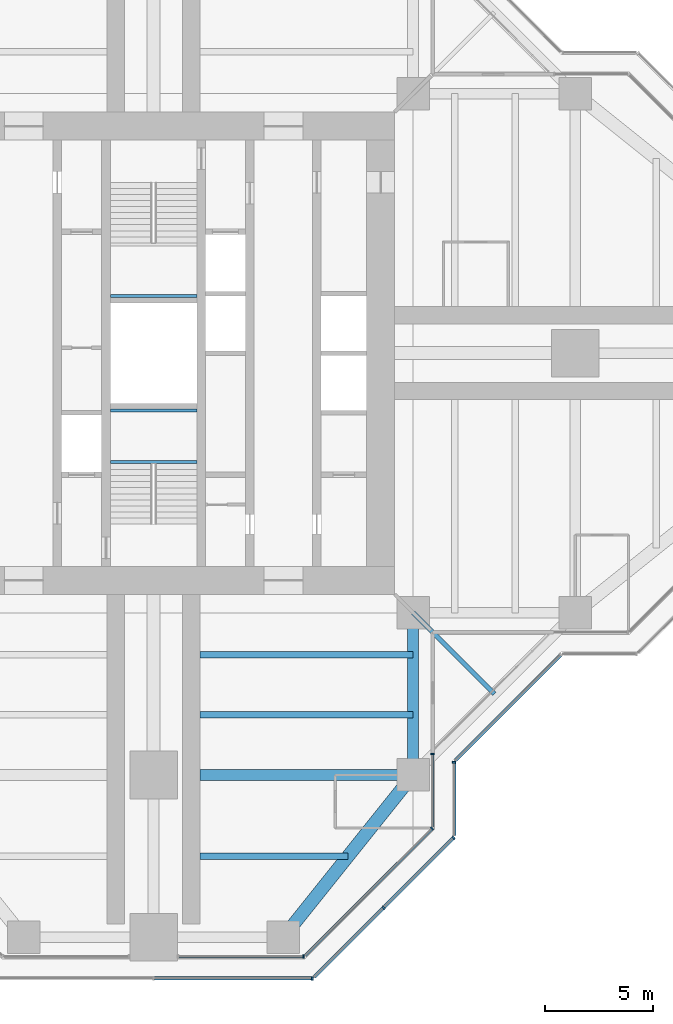
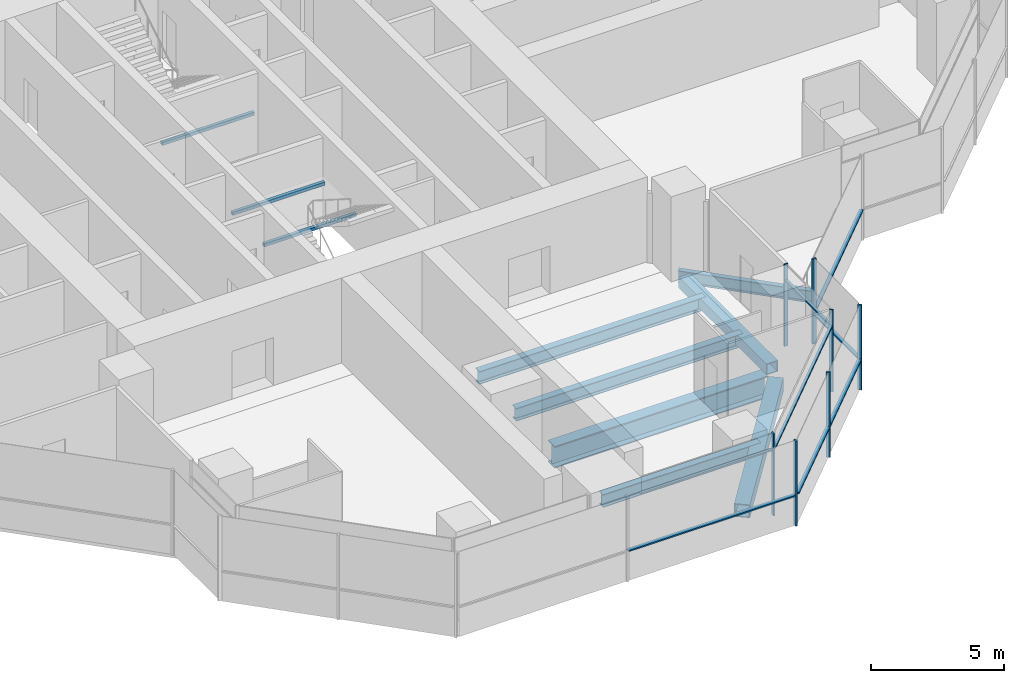
# One storey, part 4 of 17: 15 members, 10 beams, 7 elements without a shape of their own.
"""IFC4 building model written with IfcOpenShell, lengths in metres."""

from ifc_helpers import new_model, si_unit, direction, frame, origin, origin_2d, place, context, subcontext, project, spatial, rectangle, hollow_rectangle, i_section, extrude, material, material_profile, profile_set, type_object, element, aggregate, save


model = new_model("IFC4")

# Units and contexts
model_context = context("Model", 3, precision=1e-05, world=origin(), true_north=direction((0.0, 1.0)))
body_context = subcontext(model_context, "Body", "Model", "MODEL_VIEW")
ifc_project = project(units=[si_unit("LENGTHUNIT", "METRE"), si_unit("AREAUNIT", "SQUARE_METRE"), si_unit("VOLUMEUNIT", "CUBIC_METRE"), si_unit("PLANEANGLEUNIT", "RADIAN"), si_unit("MASSUNIT", "GRAM", prefix="KILO")], contexts=[model_context])

# Site, building, storey
site_placement = place(None, origin())
site = spatial("IfcSite", under=ifc_project, at=site_placement, CompositionType="ELEMENT")
building_placement = place(site_placement, origin())
building = spatial("IfcBuilding", under=site, at=building_placement, Name="Mizan Broadcast Tower", CompositionType="ELEMENT")
storey_placement = place(building_placement, frame((0.0, 0.0, 263.39990234375)))
storey = spatial("IfcBuildingStorey", under=building, at=storey_placement, Name="L62", CompositionType="ELEMENT", Elevation=263.39990234375)

# Beams
ifc_material_1 = material(Name="Steel S355", Category="steel")
ifc_material_profile_1 = material_profile(ifc_material_1, hollow_rectangle(XDim=0.5, YDim=0.5, WallThickness=0.030029296875, at=origin_2d()), Name="BOX 500x500x30")
ifc_profile_set_1 = profile_set([ifc_material_profile_1], Name="Steel S355")
beam_type_1 = type_object("IfcBeamType", Name="EDGE BEAM BOX 500x500x30", PredefinedType="SPANDREL", material=ifc_profile_set_1)
beam_1_placement = place(storey_placement, frame((12.0, -12.449951171875, -0.3798828125), z_axis=(0.0, -1.0, 0.0), x_axis=(1.0, 0.0, 0.0)))
element("IfcBeam", 1, at=beam_1_placement, inside=storey, type_object=beam_type_1, Name="Edge beam BOX 500x500x30 L62 south arm", PredefinedType="SPANDREL", context=body_context, shape_type="SweptSolid", body=[
    extrude(hollow_rectangle(XDim=0.5, YDim=0.5, WallThickness=0.030029296875, at=origin_2d()), origin(), (0.0, 0.0, 1.0), 6.60009765625),
])
ifc_material_2 = material(Name="Steel S355", Category="steel")
ifc_material_profile_2 = material_profile(ifc_material_2, hollow_rectangle(XDim=0.60009765625, YDim=0.60009765625, WallThickness=0.030029296875, at=origin_2d()), Name="BOX 600x600x30")
ifc_profile_set_2 = profile_set([ifc_material_profile_2], Name="Steel S355")
beam_type_2 = type_object("IfcBeamType", Name="EDGE BEAM BOX 600x600x30", PredefinedType="SPANDREL", material=ifc_profile_set_2)
beam_2_placement = place(storey_placement, frame((11.639892578125, -19.949951171875, -0.429931640625), z_axis=(-0.624673911726, -0.780885717636, 0.0), x_axis=(0.780885717636, -0.624673911726, 0.0)))
element("IfcBeam", 2, at=beam_2_placement, inside=storey, type_object=beam_type_2, Name="Edge beam BOX 600x600x30 L62 south arm", PredefinedType="SPANDREL", context=body_context, shape_type="SweptSolid", body=[
    extrude(hollow_rectangle(XDim=0.60009765625, YDim=0.60009765625, WallThickness=0.030029296875, at=origin_2d()), origin(), (0.0, 0.0, 1.0), 8.4521484375),
])
ifc_material_3 = material(Name="Steel S460", Category="steel")
ifc_material_profile_3 = material_profile(ifc_material_3, i_section(OverallWidth=0.5, OverallDepth=1.0, WebThickness=0.02490234375, FlangeThickness=0.050048828125, at=origin_2d()), Name="WPG 1000x500")
ifc_profile_set_3 = profile_set([ifc_material_profile_3], Name="Steel S460")
beam_type_3 = type_object("IfcBeamType", Name="GIRDER WPG 1000x500", PredefinedType="BEAM", material=ifc_profile_set_3)
beam_3_placement = place(storey_placement, frame((11.408935546875, -19.5, -0.6298828125), z_axis=(-1.0, 0.0, 0.0), x_axis=(0.0, -1.0, 0.0)))
element("IfcBeam", 3, at=beam_3_placement, inside=storey, type_object=beam_type_3, Name="Girder WPG 1000x500 L62 south arm", PredefinedType="BEAM", context=body_context, shape_type="SweptSolid", body=[
    extrude(i_section(OverallWidth=0.5, OverallDepth=1.0, WebThickness=0.02490234375, FlangeThickness=0.050048828125, at=origin_2d()), origin(), (0.0, 0.0, 1.0), 9.259033203125),
])

# Curtain wall, member
ifc_material_4 = material(Name="Aluminium framed glazing", Category="aluminium")
curtain_wall_type_1 = type_object("IfcCurtainWallType", Name="INNER SKIN HIGH ZONE", PredefinedType="USERDEFINED", material=ifc_material_4)
curtain_wall_1_placement = place(storey_placement, origin())
curtain_wall_1 = element("IfcCurtainWall", 4, at=curtain_wall_1_placement, inside=storey, type_object=curtain_wall_type_1, Name="Inner skin high zone L62 S end", ObjectType="INNER SKIN HIGH ZONE", PredefinedType="USERDEFINED")
ifc_material_5 = material(Name="Aluminium, pale anodised", Category="aluminium")
ifc_material_profile_4 = material_profile(ifc_material_5, rectangle(XDim=0.159912109375, YDim=0.06005859375, at=origin_2d()), Name="MULLION 160x60")
ifc_profile_set_4 = profile_set([ifc_material_profile_4], Name="Aluminium, pale anodised")
member_type_1 = type_object("IfcMemberType", Name="INNER SKIN MULLION 60x160", PredefinedType="MULLION", material=ifc_profile_set_4)
member_1_placement = place(storey_placement, frame((6.928466796875, -27.89990234375, 0.0), z_axis=(0.0, 0.0, 1.0), x_axis=(0.0, 1.0, 0.0)))
member_1 = element("IfcMember", 5, at=member_1_placement, type_object=member_type_1, Name="Inner skin high zone L62 S end mullion 2", PredefinedType="MULLION", context=body_context, shape_type="SweptSolid", body=[
    extrude(rectangle(XDim=0.159912109375, YDim=0.06005859375, at=origin_2d()), origin(), (0.0, 0.0, 1.0), 3.77001953125),
])

curtain_wall_2_placement = place(storey_placement, origin())
curtain_wall_2 = element("IfcCurtainWall", 6, at=curtain_wall_2_placement, inside=storey, type_object=curtain_wall_type_1, Name="Inner skin high zone L62 S chamfer", ObjectType="INNER SKIN HIGH ZONE", PredefinedType="USERDEFINED")
member_2_placement = place(storey_placement, frame((12.87890625, -21.979736328125, 0.0), z_axis=(0.0, 0.0, 1.0), x_axis=(-0.707106781187, 0.707106781187, 0.0)))
member_2 = element("IfcMember", 7, at=member_2_placement, type_object=member_type_1, Name="Inner skin high zone L62 S chamfer mullion 2", PredefinedType="MULLION", context=body_context, shape_type="SweptSolid", body=[
    extrude(rectangle(XDim=0.159912109375, YDim=0.06005859375, at=origin_2d()), origin(), (0.0, 0.0, 1.0), 3.77001953125),
])

curtain_wall_3_placement = place(storey_placement, origin())
curtain_wall_3 = element("IfcCurtainWall", 8, at=curtain_wall_3_placement, inside=storey, type_object=curtain_wall_type_1, Name="Inner skin high zone L62 S side", ObjectType="INNER SKIN HIGH ZONE", PredefinedType="USERDEFINED")
member_3_placement = place(storey_placement, frame((12.89990234375, -18.530029296875, 0.0), z_axis=(0.0, 0.0, 1.0), x_axis=(-1.0, 0.0, 0.0)))
member_3 = element("IfcMember", 9, at=member_3_placement, type_object=member_type_1, Name="Inner skin high zone L62 S side mullion 2", PredefinedType="MULLION", context=body_context, shape_type="SweptSolid", body=[
    extrude(rectangle(XDim=0.159912109375, YDim=0.06005859375, at=origin_2d()), origin(), (0.0, 0.0, 1.0), 3.77001953125),
])

# Member
ifc_material_6 = material(Name="Aluminium, pale anodised", Category="aluminium")
ifc_material_profile_5 = material_profile(ifc_material_6, rectangle(XDim=0.1201171875, YDim=0.06005859375, at=origin_2d()), Name="TRANSOM 120x60")
ifc_profile_set_5 = profile_set([ifc_material_profile_5], Name="Aluminium, pale anodised")
member_type_2 = type_object("IfcMemberType", Name="INNER SKIN TRANSOM 60x120", PredefinedType="USERDEFINED", material=ifc_profile_set_5)
member_4_placement = place(storey_placement, frame((1.159912109375, -27.89990234375, 3.030029296875), z_axis=(1.0, 0.0, 0.0), x_axis=(0.0, 1.0, 0.0)))
member_4 = element("IfcMember", 10, at=member_4_placement, type_object=member_type_2, Name="Inner skin high zone L62 S end transom 1.1", ObjectType="TRANSOM", PredefinedType="USERDEFINED", context=body_context, shape_type="SweptSolid", body=[
    extrude(rectangle(XDim=0.1201171875, YDim=0.06005859375, at=origin_2d()), origin(), (0.0, 0.0, 1.0), 5.73876953125),
])

aggregate(curtain_wall_1, [member_1, member_4])

member_5_placement = place(storey_placement, frame((7.0009765625, -27.857666015625, 3.030029296875), z_axis=(0.707106781187, 0.707106781187, 0.0), x_axis=(-0.707106781187, 0.707106781187, 0.0)))
member_5 = element("IfcMember", 11, at=member_5_placement, type_object=member_type_2, Name="Inner skin high zone L62 S chamfer transom 1.1", ObjectType="TRANSOM", PredefinedType="USERDEFINED", context=body_context, shape_type="SweptSolid", body=[
    extrude(rectangle(XDim=0.1201171875, YDim=0.06005859375, at=origin_2d()), origin(), (0.0, 0.0, 1.0), 8.28271484375),
])

aggregate(curtain_wall_2, [member_2, member_5])

member_6_placement = place(storey_placement, frame((12.89990234375, -21.898681640625, 3.030029296875), z_axis=(0.0, 1.0, 0.0), x_axis=(-1.0, 0.0, 0.0)))
member_6 = element("IfcMember", 12, at=member_6_placement, type_object=member_type_2, Name="Inner skin high zone L62 S side transom 1.1", ObjectType="TRANSOM", PredefinedType="USERDEFINED", context=body_context, shape_type="SweptSolid", body=[
    extrude(rectangle(XDim=0.1201171875, YDim=0.06005859375, at=origin_2d()), origin(), (0.0, 0.0, 1.0), 3.338623046875),
])

aggregate(curtain_wall_3, [member_3, member_6])

# Beams
ifc_material_7 = material(Name="Steel S355", Category="steel")
ifc_material_profile_6 = material_profile(ifc_material_7, hollow_rectangle(XDim=0.14990234375, YDim=0.14990234375, WallThickness=0.008056640625, InnerFilletRadius=0.008056640625, OuterFilletRadius=0.011962890625, at=origin_2d()), Name="SHS 150x150x8")
ifc_profile_set_6 = profile_set([ifc_material_profile_6], Name="Steel S355")
beam_type_4 = type_object("IfcBeamType", Name="LANDING TRIMMER SHS 150x150x8", PredefinedType="BEAM", material=ifc_profile_set_6)
for number, where, z_axis, x_axis, name in (
    (13, (-2.0, -5.02490234375, 1.675048828125), (1.0, 0.0, 0.0), (0.0, 1.0, 0.0), "Stair A landing trimmer L62"),
    (14, (-2.0, -2.64990234375, 1.675048828125), (1.0, 0.0, 0.0), (0.0, 1.0, 0.0), "Stair A landing trimmer L62"),
    (15, (2.0, 2.64990234375, 1.675048828125), (-1.0, 0.0, 0.0), (0.0, -1.0, 0.0), "Stair B landing trimmer L62"),
):
    element("IfcBeam", number, at=place(storey_placement, frame(where, z_axis=z_axis, x_axis=x_axis)), inside=storey, type_object=beam_type_4, Name=name, PredefinedType="BEAM", context=body_context, shape_type="SweptSolid", body=[
        extrude(hollow_rectangle(XDim=0.14990234375, YDim=0.14990234375, WallThickness=0.008056640625, InnerFilletRadius=0.008056640625, OuterFilletRadius=0.011962890625, at=origin_2d()), origin(), (0.0, 0.0, 1.0), 4.0),
    ])

# Curtain wall, member
ifc_material_8 = material(Name="Aluminium framed glazing", Category="aluminium")
curtain_wall_type_2 = type_object("IfcCurtainWallType", Name="OUTER SKIN", PredefinedType="USERDEFINED", material=ifc_material_8)
curtain_wall_4_placement = place(storey_placement, origin())
curtain_wall_4 = element("IfcCurtainWall", 16, at=curtain_wall_4_placement, inside=storey, type_object=curtain_wall_type_2, Name="Outer skin L62 S end", ObjectType="OUTER SKIN", PredefinedType="USERDEFINED")
ifc_material_9 = material(Name="Aluminium, pale anodised", Category="aluminium")
ifc_material_profile_7 = material_profile(ifc_material_9, rectangle(XDim=0.159912109375, YDim=0.080078125, at=origin_2d()), Name="MULLION 160x80")
ifc_profile_set_7 = profile_set([ifc_material_profile_7], Name="Aluminium, pale anodised")
member_type_3 = type_object("IfcMemberType", Name="OUTER SKIN MULLION 80x160", PredefinedType="MULLION", material=ifc_profile_set_7)
member_7_placement = place(storey_placement, frame((7.332763671875, -28.89990234375, 0.0), z_axis=(0.0, 0.0, 1.0), x_axis=(0.0, 1.0, 0.0)))
member_7 = element("IfcMember", 17, at=member_7_placement, type_object=member_type_3, Name="Outer skin L62 S end mullion 3", PredefinedType="MULLION", context=body_context, shape_type="SweptSolid", body=[
    extrude(rectangle(XDim=0.159912109375, YDim=0.080078125, at=origin_2d()), origin(), (0.0, 0.0, 1.0), 3.900146484375),
])

# Curtain wall, members
curtain_wall_5_placement = place(storey_placement, origin())
curtain_wall_5 = element("IfcCurtainWall", 18, at=curtain_wall_5_placement, inside=storey, type_object=curtain_wall_type_2, Name="Outer skin L62 S chamfer", ObjectType="OUTER SKIN", PredefinedType="USERDEFINED")
member_8_placement = place(storey_placement, frame((10.636474609375, -25.636474609375, 0.0), z_axis=(0.0, 0.0, 1.0), x_axis=(-0.707106781187, 0.707106781187, 0.0)))
member_8 = element("IfcMember", 19, at=member_8_placement, type_object=member_type_3, Name="Outer skin L62 S chamfer mullion 2", PredefinedType="MULLION", context=body_context, shape_type="SweptSolid", body=[
    extrude(rectangle(XDim=0.159912109375, YDim=0.080078125, at=origin_2d()), origin(), (0.0, 0.0, 1.0), 3.900146484375),
])
member_9_placement = place(storey_placement, frame((13.871826171875, -22.401123046875, 0.0), z_axis=(0.0, 0.0, 1.0), x_axis=(-0.707106781187, 0.707106781187, 0.0)))
member_9 = element("IfcMember", 20, at=member_9_placement, type_object=member_type_3, Name="Outer skin L62 S chamfer mullion 3", PredefinedType="MULLION", context=body_context, shape_type="SweptSolid", body=[
    extrude(rectangle(XDim=0.159912109375, YDim=0.080078125, at=origin_2d()), origin(), (0.0, 0.0, 1.0), 3.900146484375),
])

# Curtain wall, member
curtain_wall_6_placement = place(storey_placement, origin())
curtain_wall_6 = element("IfcCurtainWall", 21, at=curtain_wall_6_placement, inside=storey, type_object=curtain_wall_type_2, Name="Outer skin L62 S side", ObjectType="OUTER SKIN", PredefinedType="USERDEFINED")
member_10_placement = place(storey_placement, frame((13.89990234375, -18.912841796875, 0.0), z_axis=(0.0, 0.0, 1.0), x_axis=(-1.0, 0.0, 0.0)))
member_10 = element("IfcMember", 22, at=member_10_placement, type_object=member_type_3, Name="Outer skin L62 S side mullion 2", PredefinedType="MULLION", context=body_context, shape_type="SweptSolid", body=[
    extrude(rectangle(XDim=0.159912109375, YDim=0.080078125, at=origin_2d()), origin(), (0.0, 0.0, 1.0), 3.900146484375),
])

# Member
ifc_material_10 = material(Name="Aluminium, pale anodised", Category="aluminium")
ifc_material_profile_8 = material_profile(ifc_material_10, rectangle(XDim=0.159912109375, YDim=0.06005859375, at=origin_2d()), Name="TRANSOM 160x60")
ifc_profile_set_8 = profile_set([ifc_material_profile_8], Name="Aluminium, pale anodised")
member_type_4 = type_object("IfcMemberType", Name="OUTER SKIN TRANSOM 60x160", PredefinedType="USERDEFINED", material=ifc_profile_set_8)
member_11_placement = place(storey_placement, frame((0.0400390625, -28.89990234375, 1.400146484375), z_axis=(1.0, 0.0, 0.0), x_axis=(0.0, 1.0, 0.0)))
member_11 = element("IfcMember", 23, at=member_11_placement, type_object=member_type_4, Name="Outer skin L62 S end transom 2.1", ObjectType="TRANSOM", PredefinedType="USERDEFINED", context=body_context, shape_type="SweptSolid", body=[
    extrude(rectangle(XDim=0.159912109375, YDim=0.06005859375, at=origin_2d()), origin(), (0.0, 0.0, 1.0), 7.252685546875),
])

aggregate(curtain_wall_4, [member_7, member_11])

member_12_placement = place(storey_placement, frame((7.429443359375, -28.843505859375, 1.400146484375), z_axis=(0.707106781187, 0.707106781187, 0.0), x_axis=(-0.707106781187, 0.707106781187, 0.0)))
member_12 = element("IfcMember", 24, at=member_12_placement, type_object=member_type_4, Name="Outer skin L62 S chamfer transom 1.1", ObjectType="TRANSOM", PredefinedType="USERDEFINED", context=body_context, shape_type="SweptSolid", body=[
    extrude(rectangle(XDim=0.159912109375, YDim=0.06005859375, at=origin_2d()), origin(), (0.0, 0.0, 1.0), 4.495361328125),
])

member_13_placement = place(storey_placement, frame((10.664794921875, -25.608154296875, 1.400146484375), z_axis=(0.707106781187, 0.707106781187, 0.0), x_axis=(-0.707106781187, 0.707106781187, 0.0)))
member_13 = element("IfcMember", 25, at=member_13_placement, type_object=member_type_4, Name="Outer skin L62 S chamfer transom 2.1", ObjectType="TRANSOM", PredefinedType="USERDEFINED", context=body_context, shape_type="SweptSolid", body=[
    extrude(rectangle(XDim=0.159912109375, YDim=0.06005859375, at=origin_2d()), origin(), (0.0, 0.0, 1.0), 4.495361328125),
])

aggregate(curtain_wall_5, [member_8, member_9, member_12, member_13])

member_14_placement = place(storey_placement, frame((13.89990234375, -22.292724609375, 1.400146484375), z_axis=(0.0, 1.0, 0.0), x_axis=(-1.0, 0.0, 0.0)))
member_14 = element("IfcMember", 26, at=member_14_placement, type_object=member_type_4, Name="Outer skin L62 S side transom 1.1", ObjectType="TRANSOM", PredefinedType="USERDEFINED", context=body_context, shape_type="SweptSolid", body=[
    extrude(rectangle(XDim=0.159912109375, YDim=0.06005859375, at=origin_2d()), origin(), (0.0, 0.0, 1.0), 3.33984375),
])

aggregate(curtain_wall_6, [member_10, member_14])

# Curtain wall, member
curtain_wall_7_placement = place(storey_placement, origin())
curtain_wall_7 = element("IfcCurtainWall", 27, at=curtain_wall_7_placement, inside=storey, type_object=curtain_wall_type_2, Name="Outer skin L62 E chamfer", ObjectType="OUTER SKIN", PredefinedType="USERDEFINED")
member_15_placement = place(storey_placement, frame((13.95654296875, -18.816162109375, 1.400146484375), z_axis=(0.707106781187, 0.707106781187, 0.0), x_axis=(-0.707106781187, 0.707106781187, 0.0)))
member_15 = element("IfcMember", 28, at=member_15_placement, type_object=member_type_4, Name="Outer skin L62 E chamfer transom 1.1", ObjectType="TRANSOM", PredefinedType="USERDEFINED", context=body_context, shape_type="SweptSolid", body=[
    extrude(rectangle(XDim=0.159912109375, YDim=0.06005859375, at=origin_2d()), origin(), (0.0, 0.0, 1.0), 6.87255859375),
])
aggregate(curtain_wall_7, [member_15])

# Beams
ifc_material_11 = material(Name="Steel S355", Category="steel")
ifc_material_profile_9 = material_profile(ifc_material_11, i_section(OverallWidth=0.300048828125, OverallDepth=0.590087890625, WebThickness=0.012939453125, FlangeThickness=0.02490234375, FilletRadius=0.027099609375, at=origin_2d()), Name="HEA 600")
ifc_profile_set_9 = profile_set([ifc_material_profile_9], Name="Steel S355")
beam_type_5 = type_object("IfcBeamType", Name="SECONDARY BEAM HEA 600", PredefinedType="JOIST", material=ifc_profile_set_9)
for number, where, z_axis, x_axis, name in (
    (29, (12.0, -13.933349609375, -0.4248046875), (-1.0, 0.0, 0.0), (0.0, -1.0, 0.0), "Secondary beam HEA 600 L62 south arm"),
    (30, (12.0, -16.716552734375, -0.4248046875), (-1.0, 0.0, 0.0), (0.0, -1.0, 0.0), "Secondary beam HEA 600 L62 south arm"),
):
    element("IfcBeam", number, at=place(storey_placement, frame(where, z_axis=z_axis, x_axis=x_axis)), inside=storey, type_object=beam_type_5, Name=name, PredefinedType="JOIST", context=body_context, shape_type="SweptSolid", body=[
        extrude(i_section(OverallWidth=0.300048828125, OverallDepth=0.590087890625, WebThickness=0.012939453125, FlangeThickness=0.02490234375, FilletRadius=0.027099609375, at=origin_2d()), origin(), (0.0, 0.0, 1.0), 9.85009765625),
    ])
beam_4_placement = place(storey_placement, frame((9.0, -23.25, -0.4248046875), z_axis=(-1.0, 0.0, 0.0), x_axis=(0.0, -1.0, 0.0)))
element("IfcBeam", 31, at=beam_4_placement, inside=storey, type_object=beam_type_5, Name="Secondary beam HEA 600 L62 south arm", PredefinedType="JOIST", context=body_context, shape_type="SweptSolid", body=[
    extrude(i_section(OverallWidth=0.300048828125, OverallDepth=0.590087890625, WebThickness=0.012939453125, FlangeThickness=0.02490234375, FilletRadius=0.027099609375, at=origin_2d()), origin(), (0.0, 0.0, 1.0), 6.85009765625),
])
ifc_material_12 = material(Name="Steel S355", Category="steel")
ifc_material_profile_10 = material_profile(ifc_material_12, i_section(OverallWidth=0.2099609375, OverallDepth=0.550048828125, WebThickness=0.010986328125, FlangeThickness=0.01708984375, FilletRadius=0.02392578125, at=origin_2d()), Name="IPE 550")
ifc_profile_set_10 = profile_set([ifc_material_profile_10], Name="Steel S355")
beam_type_6 = type_object("IfcBeamType", Name="SECONDARY BEAM IPE 550", PredefinedType="JOIST", material=ifc_profile_set_10)
beam_5_placement = place(storey_placement, frame((12.0, -12.0, -0.40478515625), z_axis=(0.707106781187, -0.707106781187, 0.0), x_axis=(0.707106781187, 0.707106781187, 0.0)))
element("IfcBeam", 32, at=beam_5_placement, inside=storey, type_object=beam_type_6, Name="Winter garden beam L62 S", PredefinedType="JOIST", context=body_context, shape_type="SweptSolid", body=[
    extrude(i_section(OverallWidth=0.2099609375, OverallDepth=0.550048828125, WebThickness=0.010986328125, FlangeThickness=0.01708984375, FilletRadius=0.02392578125, at=origin_2d()), origin(), (0.0, 0.0, 1.0), 5.30322265625),
])

save(model, "model.ifc")
